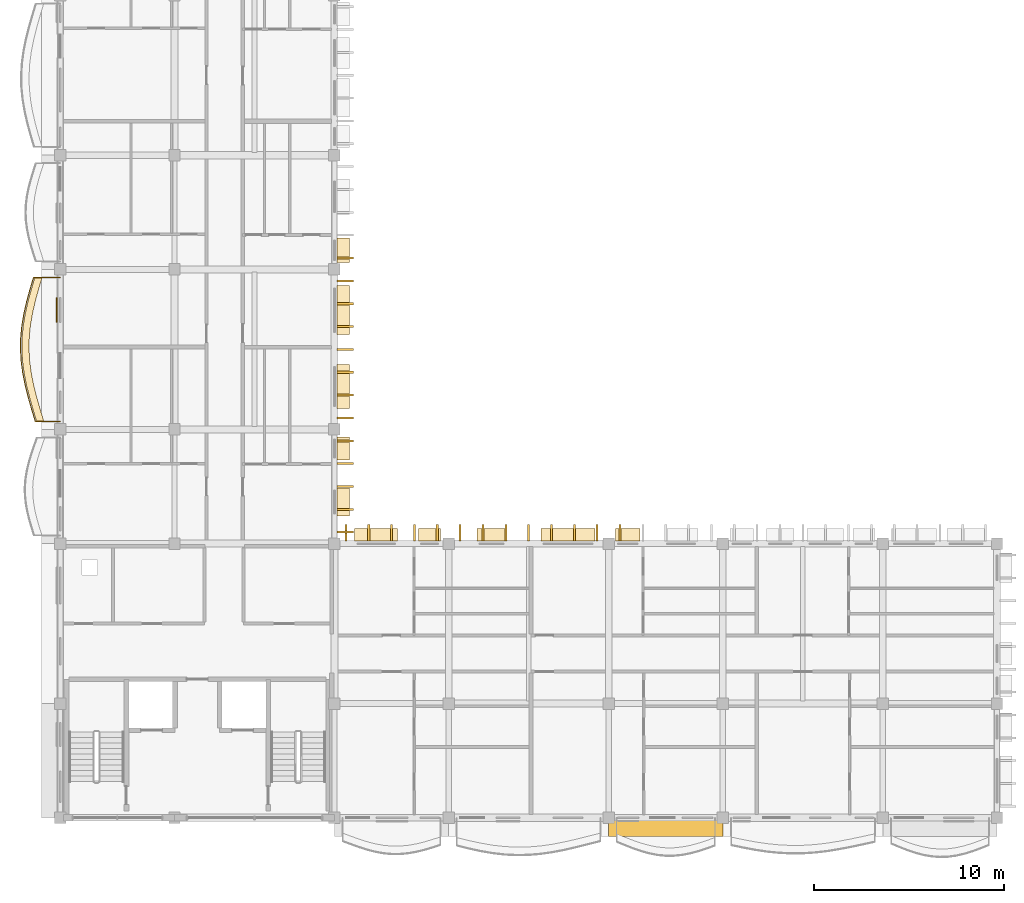
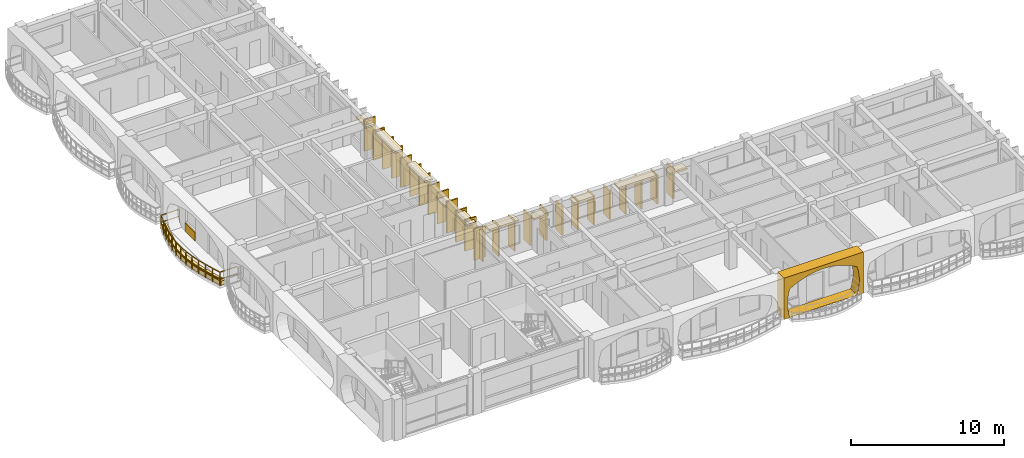
# One storey, part 43 of 70: 39 coverings, 1 railing.
"""IFC4 building model written with IfcOpenShell, lengths in metres."""

from ifc_helpers import new_model, si_unit, direction, frame, origin, origin_2d, place, context, subcontext, project, spatial, polyline, rectangle, outline, extrude, material, layer, layer_set, type_object, element, save


model = new_model("IFC4")

# Units and contexts
model_context = context("Model", 3, precision=1e-05, world=origin(), true_north=direction((0.0, 1.0)))
body_context = subcontext(model_context, "Body", "Model", "MODEL_VIEW")
ifc_project = project(units=[si_unit("LENGTHUNIT", "METRE"), si_unit("AREAUNIT", "SQUARE_METRE"), si_unit("VOLUMEUNIT", "CUBIC_METRE"), si_unit("PLANEANGLEUNIT", "RADIAN"), si_unit("MASSUNIT", "GRAM", prefix="KILO"), si_unit("THERMODYNAMICTEMPERATUREUNIT", "KELVIN")], contexts=[model_context])

# Site, building, storey
site_placement = place(None, origin())
site = spatial("IfcSite", under=ifc_project, at=site_placement, CompositionType="ELEMENT")
building_placement = place(site_placement, origin())
building = spatial("IfcBuilding", under=site, at=building_placement, Name="Thalorik Housing Commons", CompositionType="ELEMENT")
storey_placement = place(building_placement, frame((0.0, 0.0, 14.699951171875)))
storey = spatial("IfcBuildingStorey", under=building, at=storey_placement, Name="L04", CompositionType="ELEMENT", Elevation=14.699951171875)

# Coverings
ifc_material_1 = material(Name="Cobalt blue glazed ceramic facade tile panel", Category="masonry")
ifc_layer_1 = layer(ifc_material_1, 0.06005859375, Name="Cobalt blue glazed ceramic facade tile panel", Category="masonry")
ifc_layer_set_1 = layer_set([ifc_layer_1], Name="Cobalt blue glazed ceramic facade tile panel")
covering_type_1 = type_object("IfcCoveringType", Name="ARC-CLD-BLU-60", PredefinedType="CLADDING", material=ifc_layer_set_1)
covering_1_placement = place(storey_placement, frame((8.219970703125, 35.06494140625, 0.05029296875), z_axis=(0.0, 0.0, 1.0), x_axis=(0.0, -1.0, 0.0)))
element("IfcCovering", 1, at=covering_1_placement, inside=storey, type_object=covering_type_1, Name="L04 De Stijl Recessed Window Spandrel 3839", PredefinedType="CLADDING", context=body_context, shape_type="SweptSolid", body=[
    extrude(rectangle(XDim=1.300048828125, YDim=0.06005859375, at=origin_2d()), origin(), (0.0, 0.0, 1.0), 0.699951171875),
])
ifc_material_2 = material(Name="Precast concrete C40/50", Category="concrete")
ifc_layer_2 = layer(ifc_material_2, 0.85009765625, Name="Precast concrete C40/50", Category="concrete")
ifc_layer_set_2 = layer_set([ifc_layer_2], Name="Precast concrete C40/50")
covering_type_2 = type_object("IfcCoveringType", Name="ARC-CLD-CUSH-850", PredefinedType="CLADDING", material=ifc_layer_set_2)
covering_2_placement = place(storey_placement, frame((40.199951171875, 7.830078125, 0.0), z_axis=(0.0, 0.0, 1.0), x_axis=(1.0, 0.0, 0.0)))
element("IfcCovering", 2, at=covering_2_placement, inside=storey, type_object=covering_type_2, Name="L04 White Precast Curved Cushion Bay Frame 3850", PredefinedType="CLADDING", context=body_context, shape_type="SweptSolid", body=[
    extrude(outline(polyline([(-3.0, 0.0), (3.0, 0.0), (3.0, 3.300048828125), (-3.0, 3.300048828125), (-3.0, 0.0)]), holes=[polyline([(2.510009765625, 0.02490234375), (2.61328125, 0.404296875), (2.675537109375, 0.783203125), (2.6962890625, 1.16259765625), (2.675537109375, 1.541748046875), (2.61328125, 1.9208984375), (2.510009765625, 2.300048828125), (2.085693359375, 2.525390625), (1.66162109375, 2.7021484375), (1.237548828125, 2.845458984375), (0.813232421875, 2.951904296875), (0.38916015625, 3.017822265625), (-0.034912109375, 3.0400390625), (-0.459228515625, 3.017822265625), (-0.88330078125, 2.951904296875), (-1.3076171875, 2.845458984375), (-1.731689453125, 2.7021484375), (-2.15576171875, 2.525390625), (-2.580078125, 2.300048828125), (-2.668701171875, 1.9208984375), (-2.721923828125, 1.541748046875), (-2.739501953125, 1.16259765625), (-2.721923828125, 0.783203125), (-2.668701171875, 0.404296875), (-2.580078125, 0.02490234375), (2.510009765625, 0.02490234375)])]), frame((0.0, 0.425048828125, 0.0), z_axis=(0.0, -1.0, 0.0), x_axis=(1.0, 0.0, 0.0)), (0.0, 0.0, 1.0), 0.85009765625),
])
ifc_layer_3 = layer(ifc_material_2, 0.85009765625, Name="Precast concrete C40/50", Category="concrete")
ifc_layer_set_3 = layer_set([ifc_layer_3], Name="Precast concrete C40/50")
covering_type_3 = type_object("IfcCoveringType", Name="ARC-CLD-FIN-850", PredefinedType="CLADDING", material=ifc_layer_set_3)
for number, where, z_axis, x_axis, name in (
    (3, (23.3701171875, 23.39990234375, 0.0400390625), (0.0, 0.0, 1.0), (0.0, 1.0, 0.0), "L04 Courtyard Precast Vertical Brise-Soleil Fin 3774"),
    (4, (23.3701171875, 24.60009765625, 0.0400390625), (0.0, 0.0, 1.0), (0.0, 1.0, 0.0), "L04 Courtyard Precast Vertical Brise-Soleil Fin 3775"),
    (5, (23.3701171875, 25.800048828125, 0.0400390625), (0.0, 0.0, 1.0), (0.0, 1.0, 0.0), "L04 Courtyard Precast Vertical Brise-Soleil Fin 3776"),
    (6, (23.3701171875, 27.0, 0.0400390625), (0.0, 0.0, 1.0), (0.0, 1.0, 0.0), "L04 Courtyard Precast Vertical Brise-Soleil Fin 3777"),
    (7, (23.3701171875, 28.199951171875, 0.0400390625), (0.0, 0.0, 1.0), (0.0, 1.0, 0.0), "L04 Courtyard Precast Vertical Brise-Soleil Fin 3778"),
):
    element("IfcCovering", number, at=place(storey_placement, frame(where, z_axis=z_axis, x_axis=x_axis)), inside=storey, type_object=covering_type_3, Name=name, PredefinedType="CLADDING", context=body_context, shape_type="SweptSolid", body=[
        extrude(rectangle(XDim=0.110107421875, YDim=0.85009765625, at=origin_2d()), origin(), (0.0, 0.0, 1.0), 2.4951171875),
    ])
for number, where, z_axis, x_axis, name in (
    (8, (23.3701171875, 29.39990234375, 0.0400390625), (0.0, 0.0, 1.0), (0.0, 1.0, 0.0), "L04 Courtyard Precast Vertical Brise-Soleil Fin 3781"),
    (9, (23.3701171875, 30.60009765625, 0.0400390625), (0.0, 0.0, 1.0), (0.0, 1.0, 0.0), "L04 Courtyard Precast Vertical Brise-Soleil Fin 3782"),
    (10, (23.3701171875, 31.800048828125, 0.0400390625), (0.0, 0.0, 1.0), (0.0, 1.0, 0.0), "L04 Courtyard Precast Vertical Brise-Soleil Fin 3783"),
    (11, (23.3701171875, 33.0, 0.0400390625), (0.0, 0.0, 1.0), (0.0, 1.0, 0.0), "L04 Courtyard Precast Vertical Brise-Soleil Fin 3784"),
    (12, (23.3701171875, 34.199951171875, 0.0400390625), (0.0, 0.0, 1.0), (0.0, 1.0, 0.0), "L04 Courtyard Precast Vertical Brise-Soleil Fin 3785"),
    (13, (23.3701171875, 35.39990234375, 0.0400390625), (0.0, 0.0, 1.0), (0.0, 1.0, 0.0), "L04 Courtyard Precast Vertical Brise-Soleil Fin 3786"),
    (14, (23.3701171875, 36.60009765625, 0.0400390625), (0.0, 0.0, 1.0), (0.0, 1.0, 0.0), "L04 Courtyard Precast Vertical Brise-Soleil Fin 3787"),
):
    element("IfcCovering", number, at=place(storey_placement, frame(where, z_axis=z_axis, x_axis=x_axis)), inside=storey, type_object=covering_type_3, Name=name, PredefinedType="CLADDING", context=body_context, shape_type="SweptSolid", body=[
        extrude(rectangle(XDim=0.110107421875, YDim=0.85009765625, at=origin_2d()), origin(), (0.0, 0.0, 1.0), 2.344970703125),
    ])
covering_3_placement = place(storey_placement, frame((23.3701171875, 37.800048828125, 0.0400390625), z_axis=(0.0, 0.0, 1.0), x_axis=(0.0, 1.0, 0.0)))
element("IfcCovering", 15, at=covering_3_placement, inside=storey, type_object=covering_type_3, Name="L04 Courtyard Precast Vertical Brise-Soleil Fin 3790", PredefinedType="CLADDING", context=body_context, shape_type="SweptSolid", body=[
    extrude(rectangle(XDim=0.110107421875, YDim=0.85009765625, at=origin_2d()), origin(), (0.0, 0.0, 1.0), 2.4951171875),
])
covering_4_placement = place(storey_placement, frame((37.800048828125, 23.3701171875, 0.0400390625), z_axis=(0.0, 0.0, 1.0), x_axis=(-1.0, 0.0, 0.0)))
element("IfcCovering", 16, at=covering_4_placement, inside=storey, type_object=covering_type_3, Name="L04 Courtyard Precast Vertical Brise-Soleil Fin 3895", PredefinedType="CLADDING", context=body_context, shape_type="SweptSolid", body=[
    extrude(rectangle(XDim=0.110107421875, YDim=0.85009765625, at=origin_2d()), origin(), (0.0, 0.0, 1.0), 2.39501953125),
])
for number, where, z_axis, x_axis, name in (
    (17, (36.60009765625, 23.3701171875, 0.0400390625), (0.0, 0.0, 1.0), (-1.0, 0.0, 0.0), "L04 Courtyard Precast Vertical Brise-Soleil Fin 3898"),
    (18, (35.39990234375, 23.3701171875, 0.0400390625), (0.0, 0.0, 1.0), (-1.0, 0.0, 0.0), "L04 Courtyard Precast Vertical Brise-Soleil Fin 3899"),
    (19, (34.199951171875, 23.3701171875, 0.0400390625), (0.0, 0.0, 1.0), (-1.0, 0.0, 0.0), "L04 Courtyard Precast Vertical Brise-Soleil Fin 3900"),
    (20, (33.0, 23.3701171875, 0.0400390625), (0.0, 0.0, 1.0), (-1.0, 0.0, 0.0), "L04 Courtyard Precast Vertical Brise-Soleil Fin 3901"),
    (21, (31.800048828125, 23.3701171875, 0.0400390625), (0.0, 0.0, 1.0), (-1.0, 0.0, 0.0), "L04 Courtyard Precast Vertical Brise-Soleil Fin 3902"),
    (22, (30.60009765625, 23.3701171875, 0.0400390625), (0.0, 0.0, 1.0), (-1.0, 0.0, 0.0), "L04 Courtyard Precast Vertical Brise-Soleil Fin 3903"),
    (23, (29.39990234375, 23.3701171875, 0.0400390625), (0.0, 0.0, 1.0), (-1.0, 0.0, 0.0), "L04 Courtyard Precast Vertical Brise-Soleil Fin 3904"),
):
    element("IfcCovering", number, at=place(storey_placement, frame(where, z_axis=z_axis, x_axis=x_axis)), inside=storey, type_object=covering_type_3, Name=name, PredefinedType="CLADDING", context=body_context, shape_type="SweptSolid", body=[
        extrude(rectangle(XDim=0.110107421875, YDim=0.85009765625, at=origin_2d()), origin(), (0.0, 0.0, 1.0), 2.294921875),
    ])
for number, where, z_axis, x_axis, name in (
    (24, (28.199951171875, 23.3701171875, 0.0400390625), (0.0, 0.0, 1.0), (-1.0, 0.0, 0.0), "L04 Courtyard Precast Vertical Brise-Soleil Fin 3907"),
    (25, (27.0, 23.3701171875, 0.0400390625), (0.0, 0.0, 1.0), (-1.0, 0.0, 0.0), "L04 Courtyard Precast Vertical Brise-Soleil Fin 3908"),
    (26, (25.800048828125, 23.3701171875, 0.0400390625), (0.0, 0.0, 1.0), (-1.0, 0.0, 0.0), "L04 Courtyard Precast Vertical Brise-Soleil Fin 3909"),
    (27, (24.60009765625, 23.3701171875, 0.0400390625), (0.0, 0.0, 1.0), (-1.0, 0.0, 0.0), "L04 Courtyard Precast Vertical Brise-Soleil Fin 3910"),
    (28, (23.39990234375, 23.3701171875, 0.0400390625), (0.0, 0.0, 1.0), (-1.0, 0.0, 0.0), "L04 Courtyard Precast Vertical Brise-Soleil Fin 3911"),
):
    element("IfcCovering", number, at=place(storey_placement, frame(where, z_axis=z_axis, x_axis=x_axis)), inside=storey, type_object=covering_type_3, Name=name, PredefinedType="CLADDING", context=body_context, shape_type="SweptSolid", body=[
        extrude(rectangle(XDim=0.110107421875, YDim=0.85009765625, at=origin_2d()), origin(), (0.0, 0.0, 1.0), 2.39501953125),
    ])
ifc_layer_4 = layer(ifc_material_2, 0.64990234375, Name="Precast concrete C40/50", Category="concrete")
ifc_layer_set_4 = layer_set([ifc_layer_4], Name="Precast concrete C40/50")
covering_type_4 = type_object("IfcCoveringType", Name="ARC-CLD-HOOD-650", PredefinedType="CLADDING", material=ifc_layer_set_4)
covering_5_placement = place(storey_placement, frame((23.27001953125, 24.9853515625, 2.240234375), z_axis=(0.0, 0.0, 1.0), x_axis=(0.0, 1.0, 0.0)))
element("IfcCovering", 29, at=covering_5_placement, inside=storey, type_object=covering_type_4, Name="L04 Courtyard Precast Window Sun-Hood 3779", PredefinedType="CLADDING", context=body_context, shape_type="SweptSolid", body=[
    extrude(rectangle(XDim=1.489990234375, YDim=0.64990234375, at=origin_2d()), origin(), (0.0, 0.0, 1.0), 0.139892578125),
])
covering_6_placement = place(storey_placement, frame((23.27001953125, 27.79541015625, 1.93994140625), z_axis=(0.0, 0.0, 1.0), x_axis=(0.0, 1.0, 0.0)))
element("IfcCovering", 30, at=covering_6_placement, inside=storey, type_object=covering_type_4, Name="L04 Courtyard Precast Window Sun-Hood 3780", PredefinedType="CLADDING", context=body_context, shape_type="SweptSolid", body=[
    extrude(rectangle(XDim=1.18994140625, YDim=0.64990234375, at=origin_2d()), origin(), (0.0, 0.0, 1.0), 0.139892578125),
])
covering_7_placement = place(storey_placement, frame((23.27001953125, 31.054931640625, 2.27490234375), z_axis=(0.0, 0.0, 1.0), x_axis=(0.0, 1.0, 0.0)))
element("IfcCovering", 31, at=covering_7_placement, inside=storey, type_object=covering_type_4, Name="L04 Courtyard Precast Window Sun-Hood 3788", PredefinedType="CLADDING", context=body_context, shape_type="SweptSolid", body=[
    extrude(rectangle(XDim=2.320068359375, YDim=0.64990234375, at=origin_2d()), origin(), (0.0, 0.0, 1.0), 0.139892578125),
])
covering_8_placement = place(storey_placement, frame((23.27001953125, 35.06494140625, 2.27490234375), z_axis=(0.0, 0.0, 1.0), x_axis=(0.0, 1.0, 0.0)))
element("IfcCovering", 32, at=covering_8_placement, inside=storey, type_object=covering_type_4, Name="L04 Courtyard Precast Window Sun-Hood 3789", PredefinedType="CLADDING", context=body_context, shape_type="SweptSolid", body=[
    extrude(rectangle(XDim=2.56005859375, YDim=0.64990234375, at=origin_2d()), origin(), (0.0, 0.0, 1.0), 0.139892578125),
])
for number, where, z_axis, x_axis, name in (
    (33, (23.27001953125, 38.201416015625, 1.990234375), (0.0, 0.0, 1.0), (0.0, 1.0, 0.0), "L04 Courtyard Precast Window Sun-Hood 3795"),
    (34, (38.201416015625, 23.27001953125, 1.990234375), (0.0, 0.0, 1.0), (-1.0, 0.0, 0.0), "L04 Courtyard Precast Window Sun-Hood 3897"),
):
    element("IfcCovering", number, at=place(storey_placement, frame(where, z_axis=z_axis, x_axis=x_axis)), inside=storey, type_object=covering_type_4, Name=name, PredefinedType="CLADDING", context=body_context, shape_type="SweptSolid", body=[
        extrude(rectangle(XDim=1.2900390625, YDim=0.64990234375, at=origin_2d()), origin(), (0.0, 0.0, 1.0), 0.139892578125),
    ])
covering_9_placement = place(storey_placement, frame((35.06494140625, 23.27001953125, 2.22509765625), z_axis=(0.0, 0.0, 1.0), x_axis=(-1.0, 0.0, 0.0)))
element("IfcCovering", 35, at=covering_9_placement, inside=storey, type_object=covering_type_4, Name="L04 Courtyard Precast Window Sun-Hood 3905", PredefinedType="CLADDING", context=body_context, shape_type="SweptSolid", body=[
    extrude(rectangle(XDim=2.820068359375, YDim=0.64990234375, at=origin_2d()), origin(), (0.0, 0.0, 1.0), 0.139892578125),
])
covering_10_placement = place(storey_placement, frame((31.054931640625, 23.27001953125, 2.18994140625), z_axis=(0.0, 0.0, 1.0), x_axis=(-1.0, 0.0, 0.0)))
element("IfcCovering", 36, at=covering_10_placement, inside=storey, type_object=covering_type_4, Name="L04 Courtyard Precast Window Sun-Hood 3906", PredefinedType="CLADDING", context=body_context, shape_type="SweptSolid", body=[
    extrude(rectangle(XDim=1.5400390625, YDim=0.64990234375, at=origin_2d()), origin(), (0.0, 0.0, 1.0), 0.139892578125),
])
covering_11_placement = place(storey_placement, frame((27.79541015625, 23.27001953125, 1.990234375), z_axis=(0.0, 0.0, 1.0), x_axis=(-1.0, 0.0, 0.0)))
element("IfcCovering", 37, at=covering_11_placement, inside=storey, type_object=covering_type_4, Name="L04 Courtyard Precast Window Sun-Hood 3912", PredefinedType="CLADDING", context=body_context, shape_type="SweptSolid", body=[
    extrude(rectangle(XDim=1.139892578125, YDim=0.64990234375, at=origin_2d()), origin(), (0.0, 0.0, 1.0), 0.139892578125),
])
covering_12_placement = place(storey_placement, frame((24.9853515625, 23.27001953125, 2.2900390625), z_axis=(0.0, 0.0, 1.0), x_axis=(-1.0, 0.0, 0.0)))
element("IfcCovering", 38, at=covering_12_placement, inside=storey, type_object=covering_type_4, Name="L04 Courtyard Precast Window Sun-Hood 3913", PredefinedType="CLADDING", context=body_context, shape_type="SweptSolid", body=[
    extrude(rectangle(XDim=2.239990234375, YDim=0.64990234375, at=origin_2d()), origin(), (0.0, 0.0, 1.0), 0.139892578125),
])
ifc_material_3 = material(Name="Planted vegetated substrate and terracotta trough", Category="masonry")
ifc_layer_5 = layer(ifc_material_3, 0.340087890625, Name="Planted vegetated substrate and terracotta trough", Category="masonry")
ifc_layer_set_5 = layer_set([ifc_layer_5], Name="Planted vegetated substrate and terracotta trough")
covering_type_5 = type_object("IfcCoveringType", Name="ARC-COV-PLANTER", PredefinedType="USERDEFINED", material=ifc_layer_set_5)
covering_13_placement = place(storey_placement, origin())
element("IfcCovering", 39, at=covering_13_placement, inside=storey, type_object=covering_type_5, Name="L04 Balcony Slab-Edge Planted Trough 5588", ObjectType="PLANTER", PredefinedType="USERDEFINED", context=body_context, shape_type="SweptSolid", body=[
    extrude(outline(polyline([(7.064208984375, 36.780029296875), (6.87646484375, 36.14990234375), (6.70458984375, 35.52001953125), (6.560302734375, 34.889892578125), (6.45361328125, 34.260009765625), (6.3916015625, 33.6298828125), (6.379150390625, 33.0), (6.41650390625, 32.3701171875), (6.5009765625, 31.739990234375), (6.627197265625, 31.110107421875), (6.78564453125, 30.47998046875), (6.9658203125, 29.85009765625), (7.155029296875, 29.219970703125), (7.534912109375, 29.219970703125), (7.345703125, 29.85009765625), (7.165771484375, 30.47998046875), (7.007080078125, 31.110107421875), (6.881103515625, 31.739990234375), (6.79638671875, 32.3701171875), (6.759033203125, 33.0), (6.771728515625, 33.6298828125), (6.83349609375, 34.260009765625), (6.940185546875, 34.889892578125), (7.08447265625, 35.52001953125), (7.256591796875, 36.14990234375), (7.444091796875, 36.780029296875), (7.064208984375, 36.780029296875)])), origin(), (0.0, 0.0, 1.0), 0.340087890625),
])

# Railing
ifc_material_4 = material(Name="Steel S355", Category="steel")
railing_type = type_object("IfcRailingType", Name="ARC-RL-BAL-112", PredefinedType="BALUSTRADE", material=ifc_material_4)
railing_placement = place(storey_placement, frame((8.39990234375, 36.780029296875, 0.0)))
element("IfcRailing", 40, at=railing_placement, inside=storey, type_object=railing_type, Name="L04 Cushion Balcony Guardrail 272", PredefinedType="BALUSTRADE", context=body_context, shape_type="SweptSolid", body=[
    extrude(rectangle(XDim=0.050048828125, YDim=0.050048828125, at=origin_2d()), frame((0.0, 0.0, 1.09521484375), z_axis=(-1.0, 0.0, 0.0), x_axis=(0.0, -1.0, 0.0)), (0.0, 0.0, 1.0), 1.40576171875),
    extrude(rectangle(XDim=0.050048828125, YDim=0.050048828125, at=origin_2d()), frame((0.0, 0.0, 0.53515625), z_axis=(-1.0, 0.0, 0.0), x_axis=(0.0, -1.0, 0.0)), (0.0, 0.0, 1.0), 1.40576171875),
    extrude(rectangle(XDim=0.050048828125, YDim=0.050048828125, at=origin_2d()), frame((-1.40576171875, 0.0, 1.09521484375), z_axis=(-0.285541894298, -0.958366227807, 0.0), x_axis=(0.958366227807, -0.285541894298, 0.0)), (0.0, 0.0, 1.0), 0.657470703125),
    extrude(rectangle(XDim=0.050048828125, YDim=0.050048828125, at=origin_2d()), frame((-1.40576171875, 0.0, 0.53515625), z_axis=(-0.285541894298, -0.958366227807, 0.0), x_axis=(0.958366227807, -0.285541894298, 0.0)), (0.0, 0.0, 1.0), 0.657470703125),
    extrude(rectangle(XDim=0.050048828125, YDim=0.050048828125, at=origin_2d()), frame((-1.593505859375, -0.630126953125, 1.09521484375), z_axis=(-0.263243963126, -0.964729296683, 0.0), x_axis=(0.964729296683, -0.263243963126, 0.0)), (0.0, 0.0, 1.0), 0.65283203125),
    extrude(rectangle(XDim=0.050048828125, YDim=0.050048828125, at=origin_2d()), frame((-1.593505859375, -0.630126953125, 0.53515625), z_axis=(-0.263243963126, -0.964729296683, 0.0), x_axis=(0.964729296683, -0.263243963126, 0.0)), (0.0, 0.0, 1.0), 0.65283203125),
    extrude(rectangle(XDim=0.050048828125, YDim=0.050048828125, at=origin_2d()), frame((-1.765380859375, -1.260009765625, 1.09521484375), z_axis=(-0.223204214708, -0.974771705856, 0.0), x_axis=(0.974771705856, -0.223204214708, 0.0)), (0.0, 0.0, 1.0), 0.646484375),
    extrude(rectangle(XDim=0.050048828125, YDim=0.050048828125, at=origin_2d()), frame((-1.765380859375, -1.260009765625, 0.53515625), z_axis=(-0.223204214708, -0.974771705856, 0.0), x_axis=(0.974771705856, -0.223204214708, 0.0)), (0.0, 0.0, 1.0), 0.646484375),
    extrude(rectangle(XDim=0.050048828125, YDim=0.050048828125, at=origin_2d()), frame((-1.90966796875, -1.89013671875, 1.09521484375), z_axis=(-0.167001191921, -0.985956693723, 0.0), x_axis=(0.985956693723, -0.167001191921, 0.0)), (0.0, 0.0, 1.0), 0.638916015625),
    extrude(rectangle(XDim=0.050048828125, YDim=0.050048828125, at=origin_2d()), frame((-1.90966796875, -1.89013671875, 0.53515625), z_axis=(-0.167001191921, -0.985956693723, 0.0), x_axis=(0.985956693723, -0.167001191921, 0.0)), (0.0, 0.0, 1.0), 0.638916015625),
    extrude(rectangle(XDim=0.050048828125, YDim=0.050048828125, at=origin_2d()), frame((-2.016357421875, -2.52001953125, 1.09521484375), z_axis=(-0.097556446466, -0.995229993395, 0.0), x_axis=(0.995229993395, -0.097556446466, 0.0)), (0.0, 0.0, 1.0), 0.633056640625),
    extrude(rectangle(XDim=0.050048828125, YDim=0.050048828125, at=origin_2d()), frame((-2.016357421875, -2.52001953125, 0.53515625), z_axis=(-0.097556446466, -0.995229993395, 0.0), x_axis=(0.995229993395, -0.097556446466, 0.0)), (0.0, 0.0, 1.0), 0.633056640625),
    extrude(rectangle(XDim=0.050048828125, YDim=0.050048828125, at=origin_2d()), frame((-2.078125, -3.150146484375, 1.09521484375), z_axis=(-0.02015094626, -0.999796949068, 0.0), x_axis=(0.999796949068, -0.02015094626, 0.0)), (0.0, 0.0, 1.0), 0.630126953125),
    extrude(rectangle(XDim=0.050048828125, YDim=0.050048828125, at=origin_2d()), frame((-2.078125, -3.150146484375, 0.53515625), z_axis=(-0.02015094626, -0.999796949068, 0.0), x_axis=(0.999796949068, -0.02015094626, 0.0)), (0.0, 0.0, 1.0), 0.630126953125),
    extrude(rectangle(XDim=0.050048828125, YDim=0.050048828125, at=origin_2d()), frame((-2.0908203125, -3.780029296875, 1.09521484375), z_axis=(0.059198323618, -0.998246241406, 0.0), x_axis=(0.998246241406, 0.059198323618, 0.0)), (0.0, 0.0, 1.0), 0.631103515625),
    extrude(rectangle(XDim=0.050048828125, YDim=0.050048828125, at=origin_2d()), frame((-2.0908203125, -3.780029296875, 0.53515625), z_axis=(0.059198323618, -0.998246241406, 0.0), x_axis=(0.998246241406, 0.059198323618, 0.0)), (0.0, 0.0, 1.0), 0.631103515625),
    extrude(rectangle(XDim=0.050048828125, YDim=0.050048828125, at=origin_2d()), frame((-2.053466796875, -4.409912109375, 1.09521484375), z_axis=(0.132867987341, -0.99113374372, 0.0), x_axis=(0.99113374372, 0.132867987341, 0.0)), (0.0, 0.0, 1.0), 0.6357421875),
    extrude(rectangle(XDim=0.050048828125, YDim=0.050048828125, at=origin_2d()), frame((-2.053466796875, -4.409912109375, 0.53515625), z_axis=(0.132867987341, -0.99113374372, 0.0), x_axis=(0.99113374372, 0.132867987341, 0.0)), (0.0, 0.0, 1.0), 0.6357421875),
    extrude(rectangle(XDim=0.050048828125, YDim=0.050048828125, at=origin_2d()), frame((-1.968994140625, -5.0400390625, 1.09521484375), z_axis=(0.196481546208, -0.980507522663, 0.0), x_axis=(0.980507522663, 0.196481546208, 0.0)), (0.0, 0.0, 1.0), 0.642333984375),
    extrude(rectangle(XDim=0.050048828125, YDim=0.050048828125, at=origin_2d()), frame((-1.968994140625, -5.0400390625, 0.53515625), z_axis=(0.196481546208, -0.980507522663, 0.0), x_axis=(0.980507522663, 0.196481546208, 0.0)), (0.0, 0.0, 1.0), 0.642333984375),
    extrude(rectangle(XDim=0.050048828125, YDim=0.050048828125, at=origin_2d()), frame((-1.8427734375, -5.669921875, 1.09521484375), z_axis=(0.244214929817, -0.969721129013, 0.0), x_axis=(0.969721129013, 0.244214929817, 0.0)), (0.0, 0.0, 1.0), 0.64990234375),
    extrude(rectangle(XDim=0.050048828125, YDim=0.050048828125, at=origin_2d()), frame((-1.8427734375, -5.669921875, 0.53515625), z_axis=(0.244214929817, -0.969721129013, 0.0), x_axis=(0.969721129013, 0.244214929817, 0.0)), (0.0, 0.0, 1.0), 0.64990234375),
    extrude(rectangle(XDim=0.050048828125, YDim=0.050048828125, at=origin_2d()), frame((-1.68408203125, -6.300048828125, 1.09521484375), z_axis=(0.274671904442, -0.961538010122, 0.0), x_axis=(0.961538010122, 0.274671904442, 0.0)), (0.0, 0.0, 1.0), 0.655029296875),
    extrude(rectangle(XDim=0.050048828125, YDim=0.050048828125, at=origin_2d()), frame((-1.68408203125, -6.300048828125, 0.53515625), z_axis=(0.274671904442, -0.961538010122, 0.0), x_axis=(0.961538010122, 0.274671904442, 0.0)), (0.0, 0.0, 1.0), 0.655029296875),
    extrude(rectangle(XDim=0.050048828125, YDim=0.050048828125, at=origin_2d()), frame((-1.504150390625, -6.929931640625, 1.09521484375), z_axis=(0.287586184254, -0.957754763301, 0.0), x_axis=(0.957754763301, 0.287586184254, 0.0)), (0.0, 0.0, 1.0), 0.657958984375),
    extrude(rectangle(XDim=0.050048828125, YDim=0.050048828125, at=origin_2d()), frame((-1.504150390625, -6.929931640625, 0.53515625), z_axis=(0.287586184254, -0.957754763301, 0.0), x_axis=(0.957754763301, 0.287586184254, 0.0)), (0.0, 0.0, 1.0), 0.657958984375),
    extrude(rectangle(XDim=0.050048828125, YDim=0.050048828125, at=origin_2d()), frame((-1.31494140625, -7.56005859375, 1.09521484375), z_axis=(1.0, 0.0, 0.0), x_axis=(0.0, 1.0, 0.0)), (0.0, 0.0, 1.0), 1.31494140625),
    extrude(rectangle(XDim=0.050048828125, YDim=0.050048828125, at=origin_2d()), frame((-1.31494140625, -7.56005859375, 0.53515625), z_axis=(1.0, 0.0, 0.0), x_axis=(0.0, 1.0, 0.0)), (0.0, 0.0, 1.0), 1.31494140625),
    extrude(rectangle(XDim=0.0419921875, YDim=0.0419921875, at=origin_2d()), origin(), (0.0, 0.0, 1.0), 1.070068359375),
    extrude(rectangle(XDim=0.0419921875, YDim=0.0419921875, at=origin_2d()), frame((-1.40576171875, 0.0, 0.0)), (0.0, 0.0, 1.0), 1.070068359375),
    extrude(rectangle(XDim=0.0419921875, YDim=0.0419921875, at=origin_2d()), frame((-1.593505859375, -0.630126953125, 0.0)), (0.0, 0.0, 1.0), 1.070068359375),
    extrude(rectangle(XDim=0.0419921875, YDim=0.0419921875, at=origin_2d()), frame((-1.765380859375, -1.260009765625, 0.0)), (0.0, 0.0, 1.0), 1.070068359375),
    extrude(rectangle(XDim=0.0419921875, YDim=0.0419921875, at=origin_2d()), frame((-1.90966796875, -1.89013671875, 0.0)), (0.0, 0.0, 1.0), 1.070068359375),
    extrude(rectangle(XDim=0.0419921875, YDim=0.0419921875, at=origin_2d()), frame((-2.016357421875, -2.52001953125, 0.0)), (0.0, 0.0, 1.0), 1.070068359375),
    extrude(rectangle(XDim=0.0419921875, YDim=0.0419921875, at=origin_2d()), frame((-2.078125, -3.150146484375, 0.0)), (0.0, 0.0, 1.0), 1.070068359375),
    extrude(rectangle(XDim=0.0419921875, YDim=0.0419921875, at=origin_2d()), frame((-2.0908203125, -3.780029296875, 0.0)), (0.0, 0.0, 1.0), 1.070068359375),
    extrude(rectangle(XDim=0.0419921875, YDim=0.0419921875, at=origin_2d()), frame((-2.053466796875, -4.409912109375, 0.0)), (0.0, 0.0, 1.0), 1.070068359375),
    extrude(rectangle(XDim=0.0419921875, YDim=0.0419921875, at=origin_2d()), frame((-1.968994140625, -5.0400390625, 0.0)), (0.0, 0.0, 1.0), 1.070068359375),
    extrude(rectangle(XDim=0.0419921875, YDim=0.0419921875, at=origin_2d()), frame((-1.8427734375, -5.669921875, 0.0)), (0.0, 0.0, 1.0), 1.070068359375),
    extrude(rectangle(XDim=0.0419921875, YDim=0.0419921875, at=origin_2d()), frame((-1.68408203125, -6.300048828125, 0.0)), (0.0, 0.0, 1.0), 1.070068359375),
    extrude(rectangle(XDim=0.0419921875, YDim=0.0419921875, at=origin_2d()), frame((-1.504150390625, -6.929931640625, 0.0)), (0.0, 0.0, 1.0), 1.070068359375),
    extrude(rectangle(XDim=0.0419921875, YDim=0.0419921875, at=origin_2d()), frame((-1.31494140625, -7.56005859375, 0.0)), (0.0, 0.0, 1.0), 1.070068359375),
    extrude(rectangle(XDim=0.0419921875, YDim=0.0419921875, at=origin_2d()), frame((0.0, -7.56005859375, 0.0)), (0.0, 0.0, 1.0), 1.070068359375),
])

save(model, "model.ifc")
